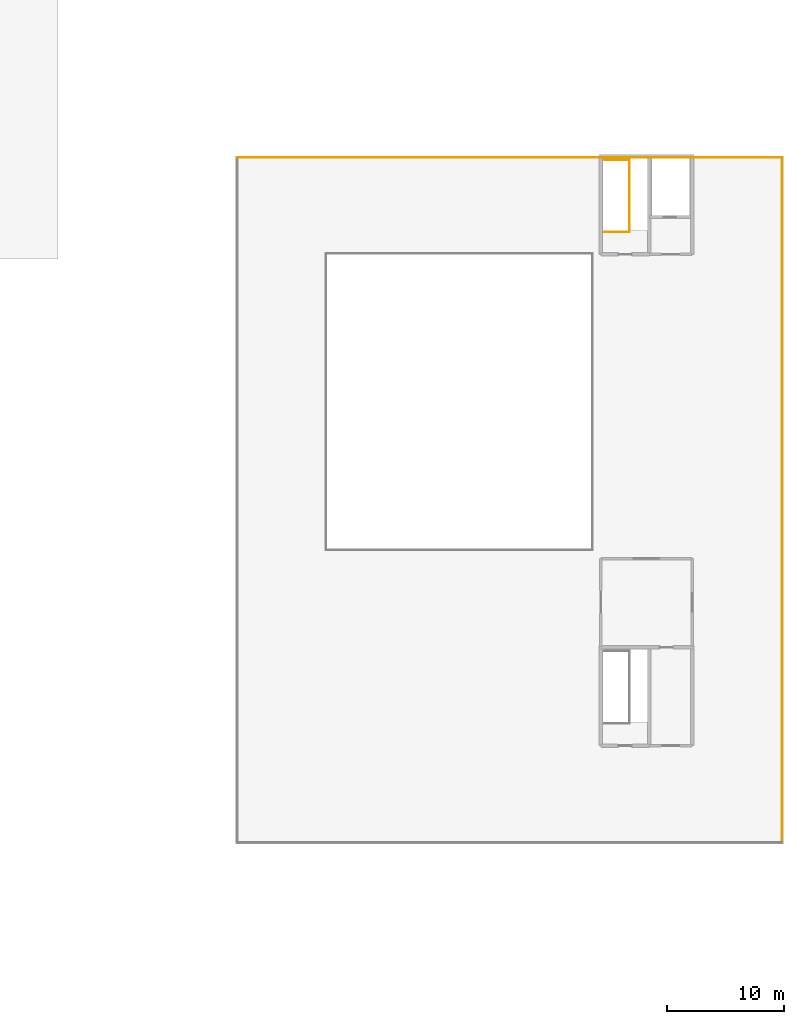
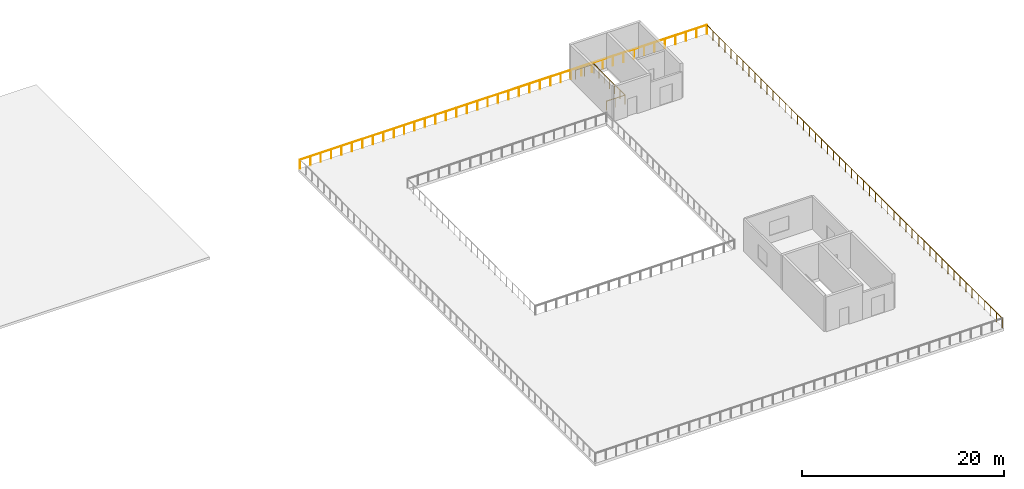
# One storey, part 63 of 63: 3 railings.
"""IFC4 building model written with IfcOpenShell, lengths in metres."""

import ifcopenshell
import ifcopenshell.guid

model = None  # the IFC model being written
_history = None  # IfcOwnerHistory: only IFC2X3 demands one
_inside = {}  # id of a spatial element -> (the spatial element, [elements in it])
_under = {}  # id of a project, library or spatial element -> (it, [spatial elements below it])
_declared = {}  # id of a project -> (the project, [libraries it declares])
_typed = {}  # id of a type object -> (the type object, [elements of that type])
_made_of = {}  # id of a material, layer set ... -> (it, [elements and type objects made of it])


def new_model(schema):
    """Start an empty IFC model of exactly this schema.

    Asked for "IFC4X3", IfcOpenShell would pick the latest addendum, in which some entities
    have other attributes; the version numbers below select the first issue.
    IFC2X3 requires an IfcOwnerHistory on every rooted entity: one is made here for all.
    """
    global model, _history
    if schema == "IFC4X3":
        model = ifcopenshell.file(schema_version=(4, 3, 0, 0))
    else:
        model = ifcopenshell.file(schema=schema)
    _inside.clear()
    _under.clear()
    _declared.clear()
    _typed.clear()
    _made_of.clear()
    _history = None
    if model.schema == "IFC2X3":
        org = make("IfcOrganization", Name="unknown")
        user = make(
            "IfcPersonAndOrganization",
            ThePerson=make("IfcPerson", FamilyName="unknown"),
            TheOrganization=org,
        )
        app = make(
            "IfcApplication",
            ApplicationDeveloper=org,
            Version="unknown",
            ApplicationFullName="unknown",
            ApplicationIdentifier="unknown",
        )
        _history = make(
            "IfcOwnerHistory",
            OwningUser=user,
            OwningApplication=app,
            ChangeAction="ADDED",
            CreationDate=0,
        )
    return model


def make(cls, **values):
    """One entity of the class cls with the attributes given. An attribute that is None is left unset."""
    return model.create_entity(
        cls, **{name: value for name, value in values.items() if value is not None}
    )


def rooted(cls, **values):
    """An entity with a GlobalId (a new one), such as an element, a storey or a relation."""
    return make(cls, GlobalId=ifcopenshell.guid.new(), OwnerHistory=_history, **values)


def si_unit(unit_type, name, prefix=None):
    """IfcSIUnit, for example si_unit("LENGTHUNIT", "METRE", prefix="MILLI")."""
    return make("IfcSIUnit", UnitType=unit_type, Prefix=prefix, Name=name)


def assignment(units):
    """IfcUnitAssignment: the units of a project."""
    return None if units is None else make("IfcUnitAssignment", Units=units)


def point(xyz):
    """IfcCartesianPoint."""
    return None if xyz is None else make("IfcCartesianPoint", Coordinates=xyz)


def direction(xyz):
    """IfcDirection."""
    return None if xyz is None else make("IfcDirection", DirectionRatios=xyz)


def frame(location, z_axis=None, x_axis=None):
    """IfcAxis2Placement3D, a coordinate frame: its origin and axes. An axis left out is left unset."""
    return make(
        "IfcAxis2Placement3D",
        Location=point(location),
        Axis=direction(z_axis),
        RefDirection=direction(x_axis),
    )


def frame_2d(location, x_axis=None):
    """IfcAxis2Placement2D, a coordinate frame in the plane: its origin and x axis."""
    return make(
        "IfcAxis2Placement2D", Location=point(location), RefDirection=direction(x_axis)
    )


def origin():
    """The frame at (0, 0, 0) with its axes left unset."""
    return frame((0.0, 0.0, 0.0))


def origin_2d():
    """The frame at (0, 0) in the plane with its x axis left unset."""
    return frame_2d((0.0, 0.0))


def place(relative_to, where):
    """IfcLocalPlacement: puts the frame where relative to a parent placement (None: the world)."""
    return make(
        "IfcLocalPlacement", PlacementRelTo=relative_to, RelativePlacement=where
    )


def context(
    kind, dimensions, precision=None, world=None, true_north=None, identifier=None
):
    """IfcGeometricRepresentationContext, for example the 3D "Model" context."""
    return make(
        "IfcGeometricRepresentationContext",
        ContextIdentifier=identifier,
        ContextType=kind,
        CoordinateSpaceDimension=dimensions,
        Precision=precision,
        WorldCoordinateSystem=world,
        TrueNorth=true_north,
    )


def subcontext(parent, identifier, kind, view, scale=None):
    """IfcGeometricRepresentationSubContext, for example "Body" below "Model"."""
    return make(
        "IfcGeometricRepresentationSubContext",
        ContextIdentifier=identifier,
        ContextType=kind,
        ParentContext=parent,
        TargetScale=scale,
        TargetView=view,
    )


def project(units=None, contexts=None):
    """IfcProject with its units and contexts."""
    return rooted(
        "IfcProject",
        Name="project",
        RepresentationContexts=contexts,
        UnitsInContext=assignment(units),
    )


def spatial(cls, under=None, at=None, **own):
    """A site, building, storey or space (cls), placed at a placement, below another one or the project."""
    s = rooted(cls, ObjectPlacement=at, **own)
    if under is not None:
        _under.setdefault(under.id(), (under, []))[1].append(s)
    return s


def profile(cls, at=None, kind="AREA", **sizes):
    """A parametric profile (cls). Its sizes go by their IFC names, for example OverallWidth=200.0."""
    return make(cls, ProfileType=kind, Position=at, **sizes)


def hollow_rectangle(**sizes):
    """IfcRectangleHollowProfileDef."""
    return profile("IfcRectangleHollowProfileDef", **sizes)


def circle(**sizes):
    """IfcCircleProfileDef."""
    return profile("IfcCircleProfileDef", **sizes)


def hollow_circle(**sizes):
    """IfcCircleHollowProfileDef."""
    return profile("IfcCircleHollowProfileDef", **sizes)


def extrude(swept, where, along, depth):
    """IfcExtrudedAreaSolid: the profile swept, set in the frame where, extruded along a direction by depth."""
    return make(
        "IfcExtrudedAreaSolid",
        SweptArea=swept,
        Position=where,
        ExtrudedDirection=direction(along),
        Depth=depth,
    )


def shape(context_of_items, identifier, shape_type, items):
    """IfcShapeRepresentation: the items that make up one representation, for example the "Body"."""
    return make(
        "IfcShapeRepresentation",
        ContextOfItems=context_of_items,
        RepresentationIdentifier=identifier,
        RepresentationType=shape_type,
        Items=items,
    )


def material(Name=None, Category=None):
    """IfcMaterial."""
    return make("IfcMaterial", Name=Name, Category=Category)


def material_profile(
    of_material, cross_section, Name=None, Category=None, Priority=None
):
    """IfcMaterialProfile: a cross section and its material."""
    return make(
        "IfcMaterialProfile",
        Name=Name,
        Material=of_material,
        Profile=cross_section,
        Priority=Priority,
        Category=Category,
    )


def profile_set(profiles, Name=None, composite=None):
    """IfcMaterialProfileSet."""
    return make(
        "IfcMaterialProfileSet",
        Name=Name,
        MaterialProfiles=profiles,
        CompositeProfile=composite,
    )


def made_of(thing, what):
    """Note that an element or type object is made of a material, layer set ...; save() writes the relation."""
    if what is not None:
        _made_of.setdefault(what.id(), (what, []))[1].append(thing)
    return thing


def type_object(cls, material=None, **own):
    """A type object (cls), such as IfcWallType, which elements share."""
    return made_of(rooted(cls, **own), material)


def element(
    cls,
    number,
    at=None,
    inside=None,
    cuts=None,
    type_object=None,
    material=None,
    context=None,
    identifier="Body",
    shape_type=None,
    held_by="IfcProductDefinitionShape",
    body=None,
    shapes=None,
    **own,
):
    """One element of the class cls, such as IfcWall. Its Tag is "e" and its number.

    at: its placement. inside: the storey or other place that contains it. cuts: it is an
    opening in that element (IfcRelVoidsElement). A single representation is given by context,
    identifier, shape_type and body (its items); several are given by shapes. held_by: the class
    of the entity that holds the representations. save() writes the other relations.
    """
    e = rooted(cls, Tag="e%d" % number, ObjectPlacement=at, **own)
    if body is not None:
        shapes = [shape(context, identifier, shape_type, body)]
    if shapes is not None:
        e.Representation = make(held_by, Representations=shapes)
    if inside is not None:
        _inside.setdefault(inside.id(), (inside, []))[1].append(e)
    if cuts is not None:
        rooted(
            "IfcRelVoidsElement", RelatingBuildingElement=cuts, RelatedOpeningElement=e
        )
    if type_object is not None:
        _typed.setdefault(type_object.id(), (type_object, []))[1].append(e)
    return made_of(e, material)


def aggregate(whole, parts):
    """IfcRelAggregates: a whole, such as a stair, and the parts it consists of."""
    return rooted("IfcRelAggregates", RelatingObject=whole, RelatedObjects=parts)


def save(model, path):
    """Write the relations noted so far, then the file.

    IfcRelAggregates (storeys below a building ...), IfcRelContainedInSpatialStructure (elements
    in a storey), IfcRelDefinesByType, IfcRelAssociatesMaterial and IfcRelDeclares: one each for
    every whole, place, type object, material and project.
    """
    for whole, parts in _under.values():
        aggregate(whole, parts)
    for where, things in _inside.values():
        rooted(
            "IfcRelContainedInSpatialStructure",
            RelatedElements=things,
            RelatingStructure=where,
        )
    for kind, things in _typed.values():
        rooted("IfcRelDefinesByType", RelatedObjects=things, RelatingType=kind)
    for what, things in _made_of.values():
        rooted("IfcRelAssociatesMaterial", RelatedObjects=things, RelatingMaterial=what)
    for by, libraries in _declared.values():
        rooted("IfcRelDeclares", RelatingContext=by, RelatedDefinitions=libraries)
    model.write(path)


model = new_model("IFC4")

# Units and contexts
model_context = context("Model", 3, precision=1e-05, world=origin(), true_north=direction((0.0, 1.0)))
body_context = subcontext(model_context, "Body", "Model", "MODEL_VIEW")
ifc_project = project(units=[si_unit("LENGTHUNIT", "METRE"), si_unit("AREAUNIT", "SQUARE_METRE"), si_unit("VOLUMEUNIT", "CUBIC_METRE"), si_unit("PLANEANGLEUNIT", "RADIAN"), si_unit("MASSUNIT", "GRAM", prefix="KILO")], contexts=[model_context])

# Site, building, storey
site_placement = place(None, origin())
site = spatial("IfcSite", under=ifc_project, at=site_placement, CompositionType="ELEMENT")
building_placement = place(site_placement, origin())
building = spatial("IfcBuilding", under=site, at=building_placement, Name="Zizhar Promenade General Hospital", CompositionType="ELEMENT")
storey_placement = place(building_placement, frame((0.0, 0.0, 18.0)))
storey = spatial("IfcBuildingStorey", under=building, at=storey_placement, Name="L04", CompositionType="ELEMENT", Elevation=18.0)

# Railings
ifc_material_1 = material(Name="Steel S355", Category="steel")
ifc_material_profile_1 = material_profile(ifc_material_1, hollow_rectangle(XDim=0.06005859375, YDim=0.1201171875, WallThickness=0.00390625, at=origin_2d()))
ifc_profile_set_1 = profile_set([ifc_material_profile_1], Name="Steel S355")
railing_type_1 = type_object("IfcRailingType", Name="RL-GUARD-EXT-1150", PredefinedType="GUARDRAIL", material=ifc_profile_set_1)
railing_1_placement = place(storey_placement, frame((187.080078125, 42.1201171875, 0.0)))
element("IfcRailing", 1, at=railing_1_placement, inside=storey, type_object=railing_type_1, Name="Perimeter Safety Guardrail L04-02", PredefinedType="GUARDRAIL", context=body_context, shape_type="SweptSolid", body=[
    extrude(circle(Radius=0.02392578125, at=origin_2d()), frame((0.0, 0.0, 1.1259765625), z_axis=(0.0, 1.0, 0.0), x_axis=(-1.0, 0.0, 0.0)), (0.0, 0.0, 1.0), 58.559814453125),
    extrude(circle(Radius=0.02099609375, at=origin_2d()), origin(), (0.0, 0.0, 1.0), 1.101806640625),
    extrude(circle(Radius=0.02099609375, at=origin_2d()), frame((0.0, 1.195068359375, 0.0)), (0.0, 0.0, 1.0), 1.101806640625),
    extrude(circle(Radius=0.02099609375, at=origin_2d()), frame((0.0, 2.39013671875, 0.0)), (0.0, 0.0, 1.0), 1.101806640625),
    extrude(circle(Radius=0.02099609375, at=origin_2d()), frame((0.0, 3.585205078125, 0.0)), (0.0, 0.0, 1.0), 1.101806640625),
    extrude(circle(Radius=0.02099609375, at=origin_2d()), frame((0.0, 4.7802734375, 0.0)), (0.0, 0.0, 1.0), 1.101806640625),
    extrude(circle(Radius=0.02099609375, at=origin_2d()), frame((0.0, 5.9755859375, 0.0)), (0.0, 0.0, 1.0), 1.101806640625),
    extrude(circle(Radius=0.02099609375, at=origin_2d()), frame((0.0, 7.170654296875, 0.0)), (0.0, 0.0, 1.0), 1.101806640625),
    extrude(circle(Radius=0.02099609375, at=origin_2d()), frame((0.0, 8.36572265625, 0.0)), (0.0, 0.0, 1.0), 1.101806640625),
    extrude(circle(Radius=0.02099609375, at=origin_2d()), frame((0.0, 9.560791015625, 0.0)), (0.0, 0.0, 1.0), 1.101806640625),
    extrude(circle(Radius=0.02099609375, at=origin_2d()), frame((0.0, 10.755859375, 0.0)), (0.0, 0.0, 1.0), 1.101806640625),
    extrude(circle(Radius=0.02099609375, at=origin_2d()), frame((0.0, 11.950927734375, 0.0)), (0.0, 0.0, 1.0), 1.101806640625),
    extrude(circle(Radius=0.02099609375, at=origin_2d()), frame((0.0, 13.14599609375, 0.0)), (0.0, 0.0, 1.0), 1.101806640625),
    extrude(circle(Radius=0.02099609375, at=origin_2d()), frame((0.0, 14.341064453125, 0.0)), (0.0, 0.0, 1.0), 1.101806640625),
    extrude(circle(Radius=0.02099609375, at=origin_2d()), frame((0.0, 15.536376953125, 0.0)), (0.0, 0.0, 1.0), 1.101806640625),
    extrude(circle(Radius=0.02099609375, at=origin_2d()), frame((0.0, 16.7314453125, 0.0)), (0.0, 0.0, 1.0), 1.101806640625),
    extrude(circle(Radius=0.02099609375, at=origin_2d()), frame((0.0, 17.926513671875, 0.0)), (0.0, 0.0, 1.0), 1.101806640625),
    extrude(circle(Radius=0.02099609375, at=origin_2d()), frame((0.0, 19.12158203125, 0.0)), (0.0, 0.0, 1.0), 1.101806640625),
    extrude(circle(Radius=0.02099609375, at=origin_2d()), frame((0.0, 20.316650390625, 0.0)), (0.0, 0.0, 1.0), 1.101806640625),
    extrude(circle(Radius=0.02099609375, at=origin_2d()), frame((0.0, 21.51171875, 0.0)), (0.0, 0.0, 1.0), 1.101806640625),
    extrude(circle(Radius=0.02099609375, at=origin_2d()), frame((0.0, 22.706787109375, 0.0)), (0.0, 0.0, 1.0), 1.101806640625),
    extrude(circle(Radius=0.02099609375, at=origin_2d()), frame((0.0, 23.90185546875, 0.0)), (0.0, 0.0, 1.0), 1.101806640625),
    extrude(circle(Radius=0.02099609375, at=origin_2d()), frame((0.0, 25.09716796875, 0.0)), (0.0, 0.0, 1.0), 1.101806640625),
    extrude(circle(Radius=0.02099609375, at=origin_2d()), frame((0.0, 26.292236328125, 0.0)), (0.0, 0.0, 1.0), 1.101806640625),
    extrude(circle(Radius=0.02099609375, at=origin_2d()), frame((0.0, 27.4873046875, 0.0)), (0.0, 0.0, 1.0), 1.101806640625),
    extrude(circle(Radius=0.02099609375, at=origin_2d()), frame((0.0, 28.682373046875, 0.0)), (0.0, 0.0, 1.0), 1.101806640625),
    extrude(circle(Radius=0.02099609375, at=origin_2d()), frame((0.0, 29.87744140625, 0.0)), (0.0, 0.0, 1.0), 1.101806640625),
    extrude(circle(Radius=0.02099609375, at=origin_2d()), frame((0.0, 31.072509765625, 0.0)), (0.0, 0.0, 1.0), 1.101806640625),
    extrude(circle(Radius=0.02099609375, at=origin_2d()), frame((0.0, 32.267578125, 0.0)), (0.0, 0.0, 1.0), 1.101806640625),
    extrude(circle(Radius=0.02099609375, at=origin_2d()), frame((0.0, 33.462646484375, 0.0)), (0.0, 0.0, 1.0), 1.101806640625),
    extrude(circle(Radius=0.02099609375, at=origin_2d()), frame((0.0, 34.657958984375, 0.0)), (0.0, 0.0, 1.0), 1.101806640625),
    extrude(circle(Radius=0.02099609375, at=origin_2d()), frame((0.0, 35.85302734375, 0.0)), (0.0, 0.0, 1.0), 1.101806640625),
    extrude(circle(Radius=0.02099609375, at=origin_2d()), frame((0.0, 37.048095703125, 0.0)), (0.0, 0.0, 1.0), 1.101806640625),
    extrude(circle(Radius=0.02099609375, at=origin_2d()), frame((0.0, 38.2431640625, 0.0)), (0.0, 0.0, 1.0), 1.101806640625),
    extrude(circle(Radius=0.02099609375, at=origin_2d()), frame((0.0, 39.438232421875, 0.0)), (0.0, 0.0, 1.0), 1.101806640625),
    extrude(circle(Radius=0.02099609375, at=origin_2d()), frame((0.0, 40.63330078125, 0.0)), (0.0, 0.0, 1.0), 1.101806640625),
    extrude(circle(Radius=0.02099609375, at=origin_2d()), frame((0.0, 41.828369140625, 0.0)), (0.0, 0.0, 1.0), 1.101806640625),
    extrude(circle(Radius=0.02099609375, at=origin_2d()), frame((0.0, 43.0234375, 0.0)), (0.0, 0.0, 1.0), 1.101806640625),
    extrude(circle(Radius=0.02099609375, at=origin_2d()), frame((0.0, 44.21875, 0.0)), (0.0, 0.0, 1.0), 1.101806640625),
    extrude(circle(Radius=0.02099609375, at=origin_2d()), frame((0.0, 45.413818359375, 0.0)), (0.0, 0.0, 1.0), 1.101806640625),
    extrude(circle(Radius=0.02099609375, at=origin_2d()), frame((0.0, 46.60888671875, 0.0)), (0.0, 0.0, 1.0), 1.101806640625),
    extrude(circle(Radius=0.02099609375, at=origin_2d()), frame((0.0, 47.803955078125, 0.0)), (0.0, 0.0, 1.0), 1.101806640625),
    extrude(circle(Radius=0.02099609375, at=origin_2d()), frame((0.0, 48.9990234375, 0.0)), (0.0, 0.0, 1.0), 1.101806640625),
    extrude(circle(Radius=0.02099609375, at=origin_2d()), frame((0.0, 50.194091796875, 0.0)), (0.0, 0.0, 1.0), 1.101806640625),
    extrude(circle(Radius=0.02099609375, at=origin_2d()), frame((0.0, 51.38916015625, 0.0)), (0.0, 0.0, 1.0), 1.101806640625),
    extrude(circle(Radius=0.02099609375, at=origin_2d()), frame((0.0, 52.584228515625, 0.0)), (0.0, 0.0, 1.0), 1.101806640625),
    extrude(circle(Radius=0.02099609375, at=origin_2d()), frame((0.0, 53.779541015625, 0.0)), (0.0, 0.0, 1.0), 1.101806640625),
    extrude(circle(Radius=0.02099609375, at=origin_2d()), frame((0.0, 54.974609375, 0.0)), (0.0, 0.0, 1.0), 1.101806640625),
    extrude(circle(Radius=0.02099609375, at=origin_2d()), frame((0.0, 56.169677734375, 0.0)), (0.0, 0.0, 1.0), 1.101806640625),
    extrude(circle(Radius=0.02099609375, at=origin_2d()), frame((0.0, 57.36474609375, 0.0)), (0.0, 0.0, 1.0), 1.101806640625),
    extrude(circle(Radius=0.02099609375, at=origin_2d()), frame((0.0, 58.559814453125, 0.0)), (0.0, 0.0, 1.0), 1.101806640625),
])
railing_2_placement = place(storey_placement, frame((187.080078125, 100.679931640625, 0.0)))
element("IfcRailing", 2, at=railing_2_placement, inside=storey, type_object=railing_type_1, Name="Perimeter Safety Guardrail L04-03", PredefinedType="GUARDRAIL", context=body_context, shape_type="SweptSolid", body=[
    extrude(circle(Radius=0.02392578125, at=origin_2d()), frame((0.0, 0.0, 1.1259765625), z_axis=(-1.0, 0.0, 0.0), x_axis=(0.0, -1.0, 0.0)), (0.0, 0.0, 1.0), 46.56005859375),
    extrude(circle(Radius=0.02099609375, at=origin_2d()), origin(), (0.0, 0.0, 1.0), 1.101806640625),
    extrude(circle(Radius=0.02099609375, at=origin_2d()), frame((-1.19384765625, 0.0, 0.0)), (0.0, 0.0, 1.0), 1.101806640625),
    extrude(circle(Radius=0.02099609375, at=origin_2d()), frame((-2.3876953125, 0.0, 0.0)), (0.0, 0.0, 1.0), 1.101806640625),
    extrude(circle(Radius=0.02099609375, at=origin_2d()), frame((-3.58154296875, 0.0, 0.0)), (0.0, 0.0, 1.0), 1.101806640625),
    extrude(circle(Radius=0.02099609375, at=origin_2d()), frame((-4.775390625, 0.0, 0.0)), (0.0, 0.0, 1.0), 1.101806640625),
    extrude(circle(Radius=0.02099609375, at=origin_2d()), frame((-5.96923828125, 0.0, 0.0)), (0.0, 0.0, 1.0), 1.101806640625),
    extrude(circle(Radius=0.02099609375, at=origin_2d()), frame((-7.1630859375, 0.0, 0.0)), (0.0, 0.0, 1.0), 1.101806640625),
    extrude(circle(Radius=0.02099609375, at=origin_2d()), frame((-8.35693359375, 0.0, 0.0)), (0.0, 0.0, 1.0), 1.101806640625),
    extrude(circle(Radius=0.02099609375, at=origin_2d()), frame((-9.55078125, 0.0, 0.0)), (0.0, 0.0, 1.0), 1.101806640625),
    extrude(circle(Radius=0.02099609375, at=origin_2d()), frame((-10.74462890625, 0.0, 0.0)), (0.0, 0.0, 1.0), 1.101806640625),
    extrude(circle(Radius=0.02099609375, at=origin_2d()), frame((-11.9384765625, 0.0, 0.0)), (0.0, 0.0, 1.0), 1.101806640625),
    extrude(circle(Radius=0.02099609375, at=origin_2d()), frame((-13.13232421875, 0.0, 0.0)), (0.0, 0.0, 1.0), 1.101806640625),
    extrude(circle(Radius=0.02099609375, at=origin_2d()), frame((-14.326171875, 0.0, 0.0)), (0.0, 0.0, 1.0), 1.101806640625),
    extrude(circle(Radius=0.02099609375, at=origin_2d()), frame((-15.52001953125, 0.0, 0.0)), (0.0, 0.0, 1.0), 1.101806640625),
    extrude(circle(Radius=0.02099609375, at=origin_2d()), frame((-16.7138671875, 0.0, 0.0)), (0.0, 0.0, 1.0), 1.101806640625),
    extrude(circle(Radius=0.02099609375, at=origin_2d()), frame((-17.90771484375, 0.0, 0.0)), (0.0, 0.0, 1.0), 1.101806640625),
    extrude(circle(Radius=0.02099609375, at=origin_2d()), frame((-19.1015625, 0.0, 0.0)), (0.0, 0.0, 1.0), 1.101806640625),
    extrude(circle(Radius=0.02099609375, at=origin_2d()), frame((-20.29541015625, 0.0, 0.0)), (0.0, 0.0, 1.0), 1.101806640625),
    extrude(circle(Radius=0.02099609375, at=origin_2d()), frame((-21.4892578125, 0.0, 0.0)), (0.0, 0.0, 1.0), 1.101806640625),
    extrude(circle(Radius=0.02099609375, at=origin_2d()), frame((-22.68310546875, 0.0, 0.0)), (0.0, 0.0, 1.0), 1.101806640625),
    extrude(circle(Radius=0.02099609375, at=origin_2d()), frame((-23.876953125, 0.0, 0.0)), (0.0, 0.0, 1.0), 1.101806640625),
    extrude(circle(Radius=0.02099609375, at=origin_2d()), frame((-25.07080078125, 0.0, 0.0)), (0.0, 0.0, 1.0), 1.101806640625),
    extrude(circle(Radius=0.02099609375, at=origin_2d()), frame((-26.2646484375, 0.0, 0.0)), (0.0, 0.0, 1.0), 1.101806640625),
    extrude(circle(Radius=0.02099609375, at=origin_2d()), frame((-27.45849609375, 0.0, 0.0)), (0.0, 0.0, 1.0), 1.101806640625),
    extrude(circle(Radius=0.02099609375, at=origin_2d()), frame((-28.65234375, 0.0, 0.0)), (0.0, 0.0, 1.0), 1.101806640625),
    extrude(circle(Radius=0.02099609375, at=origin_2d()), frame((-29.84619140625, 0.0, 0.0)), (0.0, 0.0, 1.0), 1.101806640625),
    extrude(circle(Radius=0.02099609375, at=origin_2d()), frame((-31.0400390625, 0.0, 0.0)), (0.0, 0.0, 1.0), 1.101806640625),
    extrude(circle(Radius=0.02099609375, at=origin_2d()), frame((-32.23388671875, 0.0, 0.0)), (0.0, 0.0, 1.0), 1.101806640625),
    extrude(circle(Radius=0.02099609375, at=origin_2d()), frame((-33.427734375, 0.0, 0.0)), (0.0, 0.0, 1.0), 1.101806640625),
    extrude(circle(Radius=0.02099609375, at=origin_2d()), frame((-34.62158203125, 0.0, 0.0)), (0.0, 0.0, 1.0), 1.101806640625),
    extrude(circle(Radius=0.02099609375, at=origin_2d()), frame((-35.8154296875, 0.0, 0.0)), (0.0, 0.0, 1.0), 1.101806640625),
    extrude(circle(Radius=0.02099609375, at=origin_2d()), frame((-37.00927734375, 0.0, 0.0)), (0.0, 0.0, 1.0), 1.101806640625),
    extrude(circle(Radius=0.02099609375, at=origin_2d()), frame((-38.203125, 0.0, 0.0)), (0.0, 0.0, 1.0), 1.101806640625),
    extrude(circle(Radius=0.02099609375, at=origin_2d()), frame((-39.39697265625, 0.0, 0.0)), (0.0, 0.0, 1.0), 1.101806640625),
    extrude(circle(Radius=0.02099609375, at=origin_2d()), frame((-40.5908203125, 0.0, 0.0)), (0.0, 0.0, 1.0), 1.101806640625),
    extrude(circle(Radius=0.02099609375, at=origin_2d()), frame((-41.78466796875, 0.0, 0.0)), (0.0, 0.0, 1.0), 1.101806640625),
    extrude(circle(Radius=0.02099609375, at=origin_2d()), frame((-42.978515625, 0.0, 0.0)), (0.0, 0.0, 1.0), 1.101806640625),
    extrude(circle(Radius=0.02099609375, at=origin_2d()), frame((-44.17236328125, 0.0, 0.0)), (0.0, 0.0, 1.0), 1.101806640625),
    extrude(circle(Radius=0.02099609375, at=origin_2d()), frame((-45.3662109375, 0.0, 0.0)), (0.0, 0.0, 1.0), 1.101806640625),
    extrude(circle(Radius=0.02099609375, at=origin_2d()), frame((-46.56005859375, 0.0, 0.0)), (0.0, 0.0, 1.0), 1.101806640625),
])
ifc_material_2 = material(Name="Steel S355", Category="steel")
ifc_material_profile_2 = material_profile(ifc_material_2, hollow_circle(Radius=0.06982421875, WallThickness=0.00634765625, at=origin_2d()))
ifc_profile_set_2 = profile_set([ifc_material_profile_2], Name="Steel S355")
railing_type_2 = type_object("IfcRailingType", Name="RL-STAIR-GUARD-1100", PredefinedType="GUARDRAIL", material=ifc_profile_set_2)
railing_3_placement = place(storey_placement, frame((171.919921875, 94.31005859375, 0.0)))
element("IfcRailing", 3, at=railing_3_placement, inside=storey, type_object=railing_type_2, Name="Stair ST-08 Top Well Guard (L04)", PredefinedType="GUARDRAIL", context=body_context, shape_type="SweptSolid", body=[
    extrude(circle(Radius=0.02392578125, at=origin_2d()), frame((0.0, 0.0, 1.076171875), z_axis=(1.0, 0.0, 0.0), x_axis=(0.0, 1.0, 0.0)), (0.0, 0.0, 1.0), 2.1201171875),
    extrude(circle(Radius=0.02392578125, at=origin_2d()), frame((2.1201171875, 0.0, 1.076171875), z_axis=(0.0, 1.0, 0.0), x_axis=(-1.0, 0.0, 0.0)), (0.0, 0.0, 1.0), 6.169921875),
    extrude(circle(Radius=0.02392578125, at=origin_2d()), frame((2.1201171875, 6.169921875, 1.076171875), z_axis=(-1.0, 0.0, 0.0), x_axis=(0.0, -1.0, 0.0)), (0.0, 0.0, 1.0), 2.1201171875),
    extrude(circle(Radius=0.02099609375, at=origin_2d()), origin(), (0.0, 0.0, 1.0), 1.052001953125),
    extrude(circle(Radius=0.02099609375, at=origin_2d()), frame((1.06005859375, 0.0, 0.0)), (0.0, 0.0, 1.0), 1.052001953125),
    extrude(circle(Radius=0.02099609375, at=origin_2d()), frame((2.1201171875, 0.0, 0.0)), (0.0, 0.0, 1.0), 1.052001953125),
    extrude(circle(Radius=0.02099609375, at=origin_2d()), frame((2.1201171875, 1.0283203125, 0.0)), (0.0, 0.0, 1.0), 1.052001953125),
    extrude(circle(Radius=0.02099609375, at=origin_2d()), frame((2.1201171875, 2.056640625, 0.0)), (0.0, 0.0, 1.0), 1.052001953125),
    extrude(circle(Radius=0.02099609375, at=origin_2d()), frame((2.1201171875, 3.0849609375, 0.0)), (0.0, 0.0, 1.0), 1.052001953125),
    extrude(circle(Radius=0.02099609375, at=origin_2d()), frame((2.1201171875, 4.11328125, 0.0)), (0.0, 0.0, 1.0), 1.052001953125),
    extrude(circle(Radius=0.02099609375, at=origin_2d()), frame((2.1201171875, 5.1416015625, 0.0)), (0.0, 0.0, 1.0), 1.052001953125),
    extrude(circle(Radius=0.02099609375, at=origin_2d()), frame((2.1201171875, 6.169921875, 0.0)), (0.0, 0.0, 1.0), 1.052001953125),
    extrude(circle(Radius=0.02099609375, at=origin_2d()), frame((1.06005859375, 6.169921875, 0.0)), (0.0, 0.0, 1.0), 1.052001953125),
    extrude(circle(Radius=0.02099609375, at=origin_2d()), frame((0.0, 6.169921875, 0.0)), (0.0, 0.0, 1.0), 1.052001953125),
])

save(model, "model.ifc")
